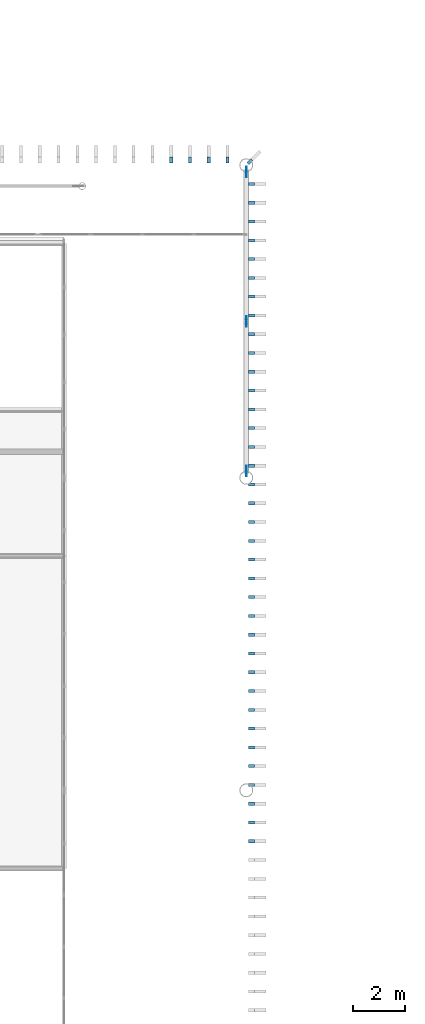
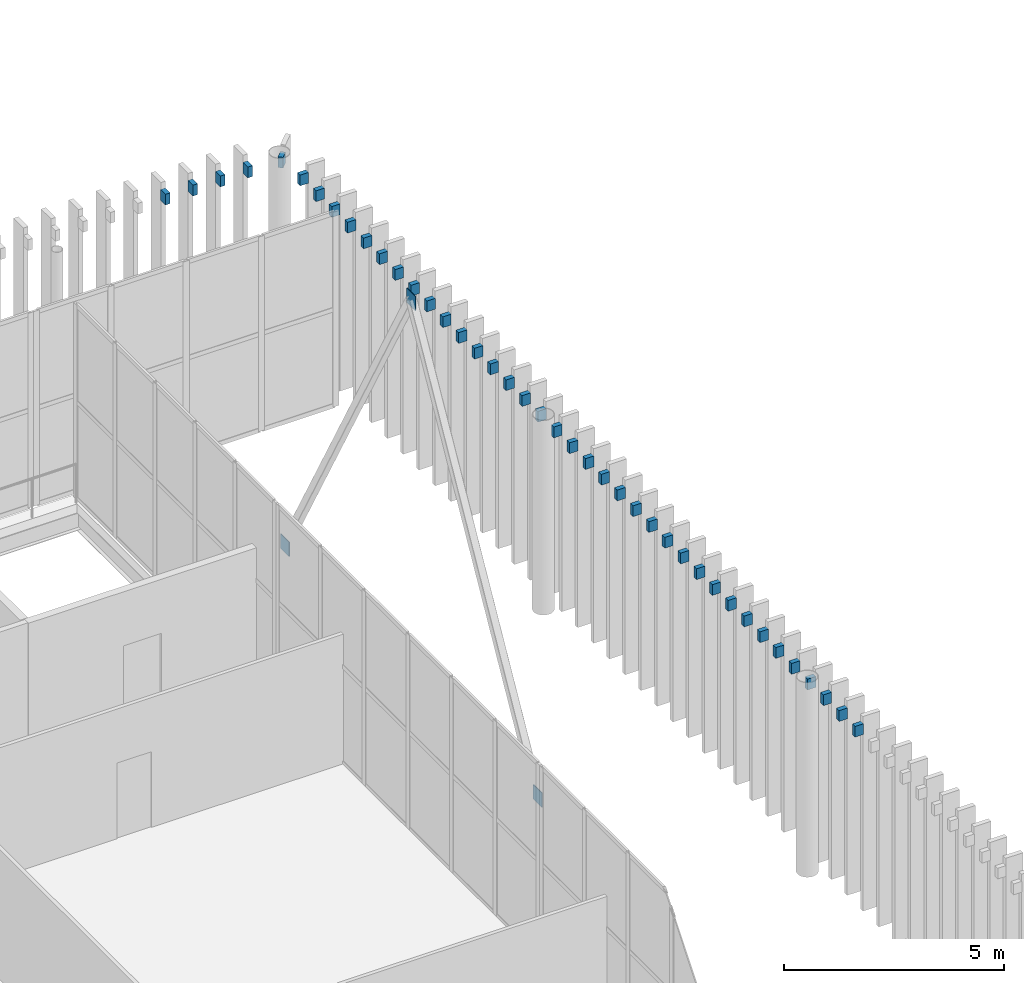
# One storey, part 149 of 170: 44 discrete accessories.
"""IFC4 building model written with IfcOpenShell, lengths in metres."""

from ifc_helpers import new_model, si_unit, direction, frame, origin, origin_2d, place, context, subcontext, project, spatial, rectangle, extrude, material, material_profile, profile_set, type_object, element, save


model = new_model("IFC4")

# Units and contexts
model_context = context("Model", 3, precision=1e-05, world=origin(), true_north=direction((0.0, 1.0)))
body_context = subcontext(model_context, "Body", "Model", "MODEL_VIEW")
ifc_project = project(units=[si_unit("LENGTHUNIT", "METRE"), si_unit("AREAUNIT", "SQUARE_METRE"), si_unit("VOLUMEUNIT", "CUBIC_METRE"), si_unit("PLANEANGLEUNIT", "RADIAN"), si_unit("MASSUNIT", "GRAM", prefix="KILO")], contexts=[model_context])

# Site, building, storey
site_placement = place(None, origin())
site = spatial("IfcSite", under=ifc_project, at=site_placement, CompositionType="ELEMENT")
building_placement = place(site_placement, origin())
building = spatial("IfcBuilding", under=site, at=building_placement, Name="Ravi Spectrum Wholesale Market", CompositionType="ELEMENT")
storey_placement = place(building_placement, frame((0.0, 0.0, 5.39990234375)))
storey = spatial("IfcBuildingStorey", under=building, at=storey_placement, Name="L01", CompositionType="ELEMENT", Elevation=5.39990234375)

# Discrete accessories
ifc_material_1 = material(Name="Steel S355", Category="steel")
discrete_accessory_type_1 = type_object("IfcDiscreteAccessoryType", Name="Fin bracket 120", PredefinedType="BRACKET", material=ifc_material_1)
for number, where, z_axis, x_axis, name in (
    (1, (110.199951171875, 172.04296875, 4.89990234375), (0.0, 0.0, 1.0), (0.0, 1.0, 0.0), "Fin bracket B551"),
    (2, (110.199951171875, 172.763916015625, 4.89990234375), (0.0, 0.0, 1.0), (0.0, 1.0, 0.0), "Fin bracket B552"),
    (3, (110.199951171875, 173.48486328125, 4.89990234375), (0.0, 0.0, 1.0), (0.0, 1.0, 0.0), "Fin bracket B553"),
    (4, (110.199951171875, 174.2060546875, 4.89990234375), (0.0, 0.0, 1.0), (0.0, 1.0, 0.0), "Fin bracket B554"),
    (5, (110.199951171875, 174.927001953125, 4.89990234375), (0.0, 0.0, 1.0), (0.0, 1.0, 0.0), "Fin bracket B555"),
    (6, (110.199951171875, 175.64794921875, 4.89990234375), (0.0, 0.0, 1.0), (0.0, 1.0, 0.0), "Fin bracket B556"),
    (7, (110.199951171875, 176.369140625, 4.89990234375), (0.0, 0.0, 1.0), (0.0, 1.0, 0.0), "Fin bracket B557"),
    (8, (110.199951171875, 177.090087890625, 4.89990234375), (0.0, 0.0, 1.0), (0.0, 1.0, 0.0), "Fin bracket B558"),
    (9, (110.199951171875, 177.811279296875, 4.89990234375), (0.0, 0.0, 1.0), (0.0, 1.0, 0.0), "Fin bracket B559"),
    (10, (110.199951171875, 178.5322265625, 4.89990234375), (0.0, 0.0, 1.0), (0.0, 1.0, 0.0), "Fin bracket B560"),
    (11, (110.199951171875, 179.253173828125, 4.89990234375), (0.0, 0.0, 1.0), (0.0, 1.0, 0.0), "Fin bracket B561"),
    (12, (110.199951171875, 179.974365234375, 4.89990234375), (0.0, 0.0, 1.0), (0.0, 1.0, 0.0), "Fin bracket B562"),
    (13, (110.199951171875, 180.6953125, 4.89990234375), (0.0, 0.0, 1.0), (0.0, 1.0, 0.0), "Fin bracket B563"),
    (14, (110.199951171875, 181.416259765625, 4.89990234375), (0.0, 0.0, 1.0), (0.0, 1.0, 0.0), "Fin bracket B564"),
    (15, (110.199951171875, 182.137451171875, 4.89990234375), (0.0, 0.0, 1.0), (0.0, 1.0, 0.0), "Fin bracket B565"),
    (16, (110.199951171875, 182.8583984375, 4.89990234375), (0.0, 0.0, 1.0), (0.0, 1.0, 0.0), "Fin bracket B566"),
    (17, (110.199951171875, 183.579345703125, 4.89990234375), (0.0, 0.0, 1.0), (0.0, 1.0, 0.0), "Fin bracket B567"),
    (18, (110.199951171875, 184.300537109375, 4.89990234375), (0.0, 0.0, 1.0), (0.0, 1.0, 0.0), "Fin bracket B568"),
    (19, (110.199951171875, 185.021484375, 4.89990234375), (0.0, 0.0, 1.0), (0.0, 1.0, 0.0), "Fin bracket B569"),
    (20, (110.199951171875, 185.742431640625, 4.89990234375), (0.0, 0.0, 1.0), (0.0, 1.0, 0.0), "Fin bracket B570"),
    (21, (110.199951171875, 186.463623046875, 4.89990234375), (0.0, 0.0, 1.0), (0.0, 1.0, 0.0), "Fin bracket B571"),
    (22, (110.199951171875, 187.1845703125, 4.89990234375), (0.0, 0.0, 1.0), (0.0, 1.0, 0.0), "Fin bracket B572"),
    (23, (110.199951171875, 187.905517578125, 4.89990234375), (0.0, 0.0, 1.0), (0.0, 1.0, 0.0), "Fin bracket B573"),
    (24, (110.199951171875, 188.626708984375, 4.89990234375), (0.0, 0.0, 1.0), (0.0, 1.0, 0.0), "Fin bracket B574"),
    (25, (110.199951171875, 189.34765625, 4.89990234375), (0.0, 0.0, 1.0), (0.0, 1.0, 0.0), "Fin bracket B575"),
    (26, (110.199951171875, 190.068603515625, 4.89990234375), (0.0, 0.0, 1.0), (0.0, 1.0, 0.0), "Fin bracket B576"),
    (27, (110.199951171875, 190.789794921875, 4.89990234375), (0.0, 0.0, 1.0), (0.0, 1.0, 0.0), "Fin bracket B577"),
    (28, (110.199951171875, 191.5107421875, 4.89990234375), (0.0, 0.0, 1.0), (0.0, 1.0, 0.0), "Fin bracket B578"),
    (29, (110.199951171875, 192.231689453125, 4.89990234375), (0.0, 0.0, 1.0), (0.0, 1.0, 0.0), "Fin bracket B579"),
    (30, (110.199951171875, 192.952880859375, 4.89990234375), (0.0, 0.0, 1.0), (0.0, 1.0, 0.0), "Fin bracket B580"),
    (31, (110.199951171875, 193.673828125, 4.89990234375), (0.0, 0.0, 1.0), (0.0, 1.0, 0.0), "Fin bracket B581"),
    (32, (110.199951171875, 194.394775390625, 4.89990234375), (0.0, 0.0, 1.0), (0.0, 1.0, 0.0), "Fin bracket B582"),
    (33, (110.199951171875, 195.115966796875, 4.89990234375), (0.0, 0.0, 1.0), (0.0, 1.0, 0.0), "Fin bracket B583"),
    (34, (110.199951171875, 195.8369140625, 4.89990234375), (0.0, 0.0, 1.0), (0.0, 1.0, 0.0), "Fin bracket B584"),
    (35, (110.199951171875, 196.557861328125, 4.89990234375), (0.0, 0.0, 1.0), (0.0, 1.0, 0.0), "Fin bracket B585"),
    (36, (110.199951171875, 197.279052734375, 4.89990234375), (0.0, 0.0, 1.0), (0.0, 1.0, 0.0), "Fin bracket B586"),
    (37, (110.141357421875, 198.141357421875, 4.89990234375), (0.0, 0.0, 1.0), (-0.707106781187, 0.707106781187, 0.0), "Fin bracket B587"),
    (38, (109.279296875, 198.199951171875, 4.89990234375), (0.0, 0.0, 1.0), (-1.0, 0.0, 0.0), "Fin bracket B588"),
    (39, (108.55859375, 198.199951171875, 4.89990234375), (0.0, 0.0, 1.0), (-1.0, 0.0, 0.0), "Fin bracket B589"),
    (40, (107.837890625, 198.199951171875, 4.89990234375), (0.0, 0.0, 1.0), (-1.0, 0.0, 0.0), "Fin bracket B590"),
    (41, (107.1171875, 198.199951171875, 4.89990234375), (0.0, 0.0, 1.0), (-1.0, 0.0, 0.0), "Fin bracket B591"),
):
    element("IfcDiscreteAccessory", number, at=place(storey_placement, frame(where, z_axis=z_axis, x_axis=x_axis)), inside=storey, type_object=discrete_accessory_type_1, Name=name, PredefinedType="BRACKET", context=body_context, shape_type="SweptSolid", body=[
        extrude(rectangle(XDim=0.1201171875, YDim=0.219970703125, at=origin_2d()), origin(), (0.0, 0.0, 1.0), 0.300048828125),
    ])
ifc_material_2 = material(Name="Steel S355", Category="steel")
ifc_material_profile = material_profile(ifc_material_2, rectangle(XDim=0.39990234375, YDim=0.02001953125, at=origin_2d()))
ifc_profile_set = profile_set([ifc_material_profile], Name="Steel S355")
discrete_accessory_type_2 = type_object("IfcDiscreteAccessoryType", Name="Gusset plate 400x400x20", PredefinedType="BRACKET", material=ifc_profile_set)
discrete_accessory_1_placement = place(storey_placement, frame((110.0, 186.25390625, -5.55078125), z_axis=(0.0, 0.0, 1.0), x_axis=(0.0, 1.0, 0.0)))
element("IfcDiscreteAccessory", 42, at=discrete_accessory_1_placement, inside=storey, type_object=discrete_accessory_type_2, Name="Gusset plate", PredefinedType="BRACKET", context=body_context, shape_type="SweptSolid", body=[
    extrude(rectangle(XDim=0.39990234375, YDim=0.02001953125, at=origin_2d()), origin(), (0.0, 0.0, 1.0), 0.39990234375),
])
discrete_accessory_2_placement = place(storey_placement, frame((110.0, 192.0, 4.75), z_axis=(0.0, 0.0, 1.0), x_axis=(0.0, 1.0, 0.0)))
element("IfcDiscreteAccessory", 43, at=discrete_accessory_2_placement, inside=storey, type_object=discrete_accessory_type_2, Name="Gusset plate", PredefinedType="BRACKET", context=body_context, shape_type="SweptSolid", body=[
    extrude(rectangle(XDim=0.39990234375, YDim=0.02001953125, at=origin_2d()), origin(), (0.0, 0.0, 1.0), 0.400146484375),
])
discrete_accessory_3_placement = place(storey_placement, frame((110.0, 197.74609375, -5.55078125), z_axis=(0.0, 0.0, 1.0), x_axis=(0.0, -1.0, 0.0)))
element("IfcDiscreteAccessory", 44, at=discrete_accessory_3_placement, inside=storey, type_object=discrete_accessory_type_2, Name="Gusset plate", PredefinedType="BRACKET", context=body_context, shape_type="SweptSolid", body=[
    extrude(rectangle(XDim=0.39990234375, YDim=0.02001953125, at=origin_2d()), origin(), (0.0, 0.0, 1.0), 0.39990234375),
])

save(model, "model.ifc")
